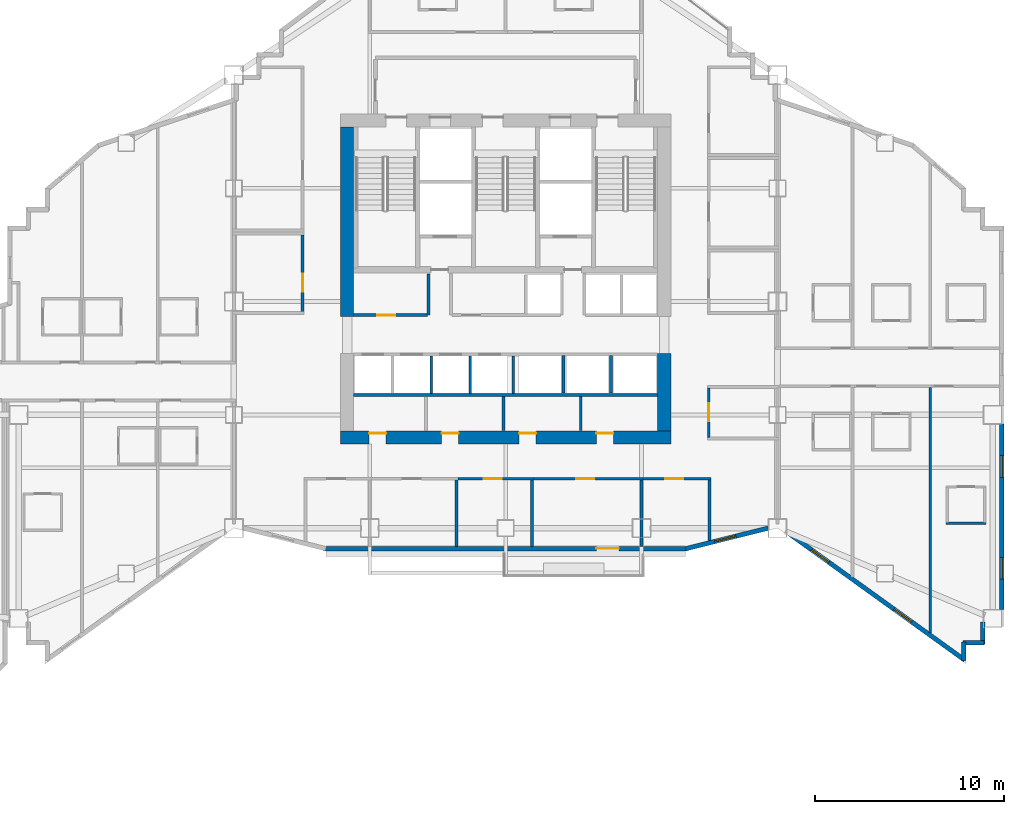
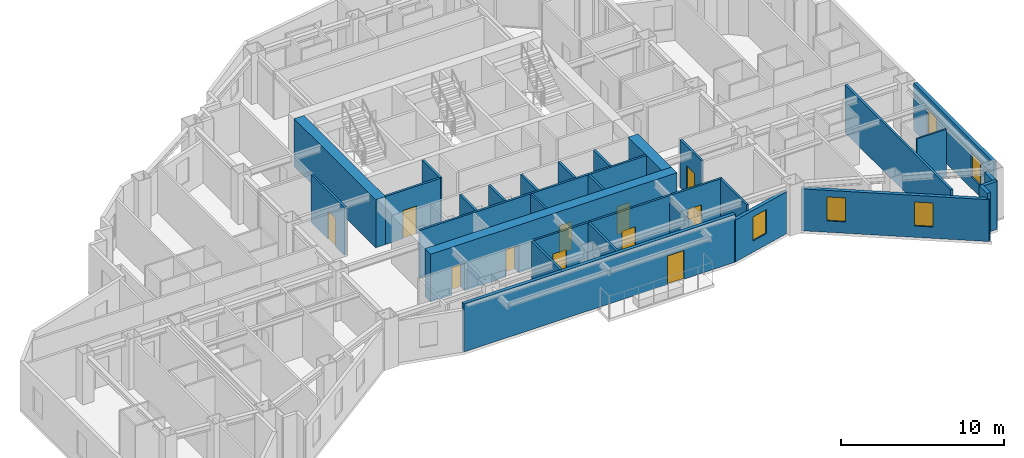
# One storey, part 7 of 13: 31 walls, 11 doors, 5 windows, 16 openings.
"""IFC4 building model written with IfcOpenShell, lengths in metres."""

from ifc_helpers import new_model, si_unit, direction, frame, frame_2d, origin, place, context, subcontext, project, spatial, rectangle, extrude, material, layer, layer_set, type_object, element, fill, save


model = new_model("IFC4")

# Units and contexts
model_context = context("Model", 3, precision=1e-05, world=origin(), true_north=direction((0.0, 1.0)))
body_context = subcontext(model_context, "Body", "Model", "MODEL_VIEW")
ifc_project = project(units=[si_unit("LENGTHUNIT", "METRE"), si_unit("AREAUNIT", "SQUARE_METRE"), si_unit("VOLUMEUNIT", "CUBIC_METRE"), si_unit("PLANEANGLEUNIT", "RADIAN"), si_unit("MASSUNIT", "GRAM", prefix="KILO")], contexts=[model_context])

# Site, building, storey
site_placement = place(None, origin())
site = spatial("IfcSite", under=ifc_project, at=site_placement, CompositionType="ELEMENT")
building_placement = place(site_placement, origin())
building = spatial("IfcBuilding", under=site, at=building_placement, Name="Haolan Belvedere Tower", CompositionType="ELEMENT")
storey_placement = place(building_placement, frame((0.0, 0.0, 117.39990234375)))
storey = spatial("IfcBuildingStorey", under=building, at=storey_placement, Name="L29", CompositionType="ELEMENT", Elevation=117.39990234375)

# Wall, openings, doors
ifc_material_1 = material(Name="Concrete C60/75", Category="concrete")
ifc_layer_1 = layer(ifc_material_1, 0.699951171875, Name="Concrete C60/75")
ifc_layer_set_1 = layer_set([ifc_layer_1], Name="Concrete C60/75")
wall_type_1 = type_object("IfcWallType", Name="WL-CORE-700", PredefinedType="SHEAR", material=ifc_layer_set_1)
wall_1_placement = place(storey_placement, frame((29.64990234375, 26.39990234375, 0.0), z_axis=(0.0, 0.0, 1.0), x_axis=(1.0, 0.0, 0.0)))
wall_1 = element("IfcWall", 1, at=wall_1_placement, inside=storey, type_object=wall_type_1, Name="L29 central core south shear wall", PredefinedType="SHEAR", context=body_context, shape_type="SweptSolid", body=[
    extrude(rectangle(XDim=17.5, YDim=0.699951171875, at=frame_2d((8.75, 0.0))), origin(), (0.0, 0.0, 1.0), 3.60009765625),
])
opening_1_placement = place(wall_1_placement, frame((2.419921875, 0.0, 0.0), z_axis=(0.0, 0.0, 1.0), x_axis=(-1.0, 0.0, 0.0)))
opening_1 = element("IfcOpeningElement", 2, at=opening_1_placement, cuts=wall_1, Name="Opening FD-05", PredefinedType="OPENING", context=body_context, shape_type="SweptSolid", body=[
    extrude(rectangle(XDim=0.89990234375, YDim=2.10009765625, at=frame_2d((0.449951171875, 1.050048828125))), frame((0.0, 0.35986328125, 0.0), z_axis=(0.0, -1.0, 0.0), x_axis=(1.0, 0.0, 0.0)), (0.0, 0.0, 1.0), 0.719970703125),
])
opening_2_placement = place(wall_1_placement, frame((6.260009765625, 0.0, 0.0), z_axis=(0.0, 0.0, 1.0), x_axis=(-1.0, 0.0, 0.0)))
opening_2 = element("IfcOpeningElement", 3, at=opening_2_placement, cuts=wall_1, Name="Opening FD-05", PredefinedType="OPENING", context=body_context, shape_type="SweptSolid", body=[
    extrude(rectangle(XDim=0.89990234375, YDim=2.10009765625, at=frame_2d((0.449951171875, 1.050048828125))), frame((0.0, 0.35986328125, 0.0), z_axis=(0.0, -1.0, 0.0), x_axis=(1.0, 0.0, 0.0)), (0.0, 0.0, 1.0), 0.719970703125),
])
opening_3_placement = place(wall_1_placement, frame((10.35986328125, 0.0, 0.0), z_axis=(0.0, 0.0, 1.0), x_axis=(-1.0, 0.0, 0.0)))
opening_3 = element("IfcOpeningElement", 4, at=opening_3_placement, cuts=wall_1, Name="Opening FD-05", PredefinedType="OPENING", context=body_context, shape_type="SweptSolid", body=[
    extrude(rectangle(XDim=0.89990234375, YDim=2.10009765625, at=frame_2d((0.449951171875, 1.050048828125))), frame((0.0, 0.35986328125, 0.0), z_axis=(0.0, -1.0, 0.0), x_axis=(1.0, 0.0, 0.0)), (0.0, 0.0, 1.0), 0.719970703125),
])
opening_4_placement = place(wall_1_placement, frame((14.4599609375, 0.0, 0.0), z_axis=(0.0, 0.0, 1.0), x_axis=(-1.0, 0.0, 0.0)))
opening_4 = element("IfcOpeningElement", 5, at=opening_4_placement, cuts=wall_1, Name="Opening FD-05", PredefinedType="OPENING", context=body_context, shape_type="SweptSolid", body=[
    extrude(rectangle(XDim=0.89990234375, YDim=2.10009765625, at=frame_2d((0.449951171875, 1.050048828125))), frame((0.0, 0.35986328125, 0.0), z_axis=(0.0, -1.0, 0.0), x_axis=(1.0, 0.0, 0.0)), (0.0, 0.0, 1.0), 0.719970703125),
])
ifc_material_2 = material(Name="Galvanised fire-rated steel", Category="steel")
door_type_1 = type_object("IfcDoorType", Name="DR-FD60-900", OperationType="NOTDEFINED", PredefinedType="DOOR", material=ifc_material_2)
door_1_placement = place(opening_1_placement, origin())
door_1 = element("IfcDoor", 6, at=door_1_placement, inside=storey, type_object=door_type_1, Name="L29 door CD-L29-SCV-1", OperationType="SINGLE_SWING_LEFT", OverallHeight=2.10009765625, OverallWidth=0.89990234375, PredefinedType="DOOR", context=body_context, shape_type="SweptSolid", body=[
    extrude(rectangle(XDim=0.89990234375, YDim=2.10009765625, at=frame_2d((0.449951171875, 1.050048828125))), frame((0.0, -0.19482421875, 0.0), z_axis=(0.0, -1.0, 0.0), x_axis=(1.0, 0.0, 0.0)), (0.0, 0.0, 1.0), 0.050048828125),
])
fill(opening_1, door_1)
door_2_placement = place(opening_2_placement, origin())
door_2 = element("IfcDoor", 7, at=door_2_placement, inside=storey, type_object=door_type_1, Name="L29 door CD-L29-SCV-2", OperationType="SINGLE_SWING_RIGHT", OverallHeight=2.10009765625, OverallWidth=0.89990234375, PredefinedType="DOOR", context=body_context, shape_type="SweptSolid", body=[
    extrude(rectangle(XDim=0.89990234375, YDim=2.10009765625, at=frame_2d((0.449951171875, 1.050048828125))), frame((0.0, -0.19482421875, 0.0), z_axis=(0.0, -1.0, 0.0), x_axis=(1.0, 0.0, 0.0)), (0.0, 0.0, 1.0), 0.050048828125),
])
fill(opening_2, door_2)
door_3_placement = place(opening_3_placement, origin())
door_3 = element("IfcDoor", 8, at=door_3_placement, inside=storey, type_object=door_type_1, Name="L29 door CD-L29-SCV-3", OperationType="SINGLE_SWING_LEFT", OverallHeight=2.10009765625, OverallWidth=0.89990234375, PredefinedType="DOOR", context=body_context, shape_type="SweptSolid", body=[
    extrude(rectangle(XDim=0.89990234375, YDim=2.10009765625, at=frame_2d((0.449951171875, 1.050048828125))), frame((0.0, -0.19482421875, 0.0), z_axis=(0.0, -1.0, 0.0), x_axis=(1.0, 0.0, 0.0)), (0.0, 0.0, 1.0), 0.050048828125),
])
fill(opening_3, door_3)
door_4_placement = place(opening_4_placement, origin())
door_4 = element("IfcDoor", 9, at=door_4_placement, inside=storey, type_object=door_type_1, Name="L29 door CD-L29-SCV-4", OperationType="SINGLE_SWING_RIGHT", OverallHeight=2.10009765625, OverallWidth=0.89990234375, PredefinedType="DOOR", context=body_context, shape_type="SweptSolid", body=[
    extrude(rectangle(XDim=0.89990234375, YDim=2.10009765625, at=frame_2d((0.449951171875, 1.050048828125))), frame((0.0, -0.19482421875, 0.0), z_axis=(0.0, -1.0, 0.0), x_axis=(1.0, 0.0, 0.0)), (0.0, 0.0, 1.0), 0.050048828125),
])
fill(opening_4, door_4)

# Walls
wall_2_placement = place(storey_placement, frame((30.0, 32.800048828125, 0.0), z_axis=(0.0, 0.0, 1.0), x_axis=(0.0, 1.0, 0.0)))
element("IfcWall", 10, at=wall_2_placement, inside=storey, type_object=wall_type_1, Name="L29 central core shear wall WN", PredefinedType="SHEAR", context=body_context, shape_type="SweptSolid", body=[
    extrude(rectangle(XDim=10.050048828125, YDim=0.699951171875, at=frame_2d((5.02490234375, 0.0))), origin(), (0.0, 0.0, 1.0), 3.60009765625),
])
wall_3_placement = place(storey_placement, frame((46.800048828125, 26.75, 0.0), z_axis=(0.0, 0.0, 1.0), x_axis=(0.0, 1.0, 0.0)))
element("IfcWall", 11, at=wall_3_placement, inside=storey, type_object=wall_type_1, Name="L29 central core shear wall ES", PredefinedType="SHEAR", context=body_context, shape_type="SweptSolid", body=[
    extrude(rectangle(XDim=4.10009765625, YDim=0.699951171875, at=frame_2d((2.050048828125, 0.0))), origin(), (0.0, 0.0, 1.0), 3.60009765625),
])

# Wall, opening, door
ifc_material_3 = material(Name="Precast concrete C40/50", Category="concrete")
ifc_layer_2 = layer(ifc_material_3, 0.239990234375, Name="Precast concrete C40/50")
ifc_layer_set_2 = layer_set([ifc_layer_2], Name="Precast concrete C40/50")
wall_type_2 = type_object("IfcWallType", Name="WL-EXT-240", PredefinedType="SOLIDWALL", material=ifc_layer_set_2)
wall_4_placement = place(storey_placement, frame((28.759765625, 20.52001953125, 0.0), z_axis=(0.0, 0.0, 1.0), x_axis=(1.0, 0.0, 0.0)))
wall_4 = element("IfcWall", 12, at=wall_4_placement, inside=storey, type_object=wall_type_2, Name="L29 pale-metal exterior spandrel wall 7.1", PredefinedType="SOLIDWALL", context=body_context, shape_type="SweptSolid", body=[
    extrude(rectangle(XDim=19.280517578125, YDim=0.239990234375, at=frame_2d((9.64013671875, 0.0))), origin(), (0.0, 0.0, 1.0), 3.60009765625),
])
opening_5_placement = place(wall_4_placement, frame((15.64013671875, 0.0, 0.0), z_axis=(0.0, 0.0, 1.0), x_axis=(-1.0, 0.0, 0.0)))
opening_5 = element("IfcOpeningElement", 13, at=opening_5_placement, cuts=wall_4, Name="Opening BD-01", PredefinedType="OPENING", context=body_context, shape_type="SweptSolid", body=[
    extrude(rectangle(XDim=1.199951171875, YDim=2.14990234375, at=frame_2d((0.60009765625, 1.074951171875))), frame((0.0, 0.1298828125, 0.0), z_axis=(0.0, -1.0, 0.0), x_axis=(1.0, 0.0, 0.0)), (0.0, 0.0, 1.0), 0.260009765625),
])
ifc_material_4 = material(Name="Thermally broken pale-metal aluminium and Low-E glass", Category="aluminium")
door_type_2 = type_object("IfcDoorType", Name="DR-BAL-1200", OperationType="NOTDEFINED", PredefinedType="DOOR", material=ifc_material_4)
door_5_placement = place(opening_5_placement, origin())
door_5 = element("IfcDoor", 14, at=door_5_placement, inside=storey, type_object=door_type_2, Name="L29 tree-balcony access door 1", OperationType="SINGLE_SWING_LEFT", OverallHeight=2.14990234375, OverallWidth=1.199951171875, PredefinedType="DOOR", context=body_context, shape_type="SweptSolid", body=[
    extrude(rectangle(XDim=1.199951171875, YDim=2.14990234375, at=frame_2d((0.60009765625, 1.074951171875))), frame((0.0, 0.02490234375, 0.0), z_axis=(0.0, -1.0, 0.0), x_axis=(1.0, 0.0, 0.0)), (0.0, 0.0, 1.0), 0.050048828125),
])
fill(opening_5, door_5)

# Wall, opening, window
wall_5_placement = place(storey_placement, frame((47.931884765625, 20.506591796875, 0.0), z_axis=(0.0, 0.0, 1.0), x_axis=(0.970145683738, 0.242522890311, 0.0)))
wall_5 = element("IfcWall", 15, at=wall_5_placement, inside=storey, type_object=wall_type_2, Name="L29 pale-metal exterior spandrel wall 8.1", PredefinedType="SOLIDWALL", context=body_context, shape_type="SweptSolid", body=[
    extrude(rectangle(XDim=4.510986328125, YDim=0.239990234375, at=frame_2d((2.25537109375, 0.0))), origin(), (0.0, 0.0, 1.0), 3.14501953125),
])
opening_6_placement = place(wall_5_placement, frame((1.60009765625, 0.0, 0.85009765625)))
opening_6 = element("IfcOpeningElement", 16, at=opening_6_placement, cuts=wall_5, Name="Opening W-02", PredefinedType="OPENING", context=body_context, shape_type="SweptSolid", body=[
    extrude(rectangle(XDim=1.14990234375, YDim=1.800048828125, at=frame_2d((0.574951171875, 0.89990234375))), frame((0.0, 0.1298828125, 0.0), z_axis=(0.0, -1.0, 0.0), x_axis=(1.0, 0.0, 0.0)), (0.0, 0.0, 1.0), 0.260009765625),
])
ifc_material_5 = material(Name="Anodised aluminium 6063-T6 and Low-E glass", Category="aluminium")
window_type = type_object("IfcWindowType", Name="WN-DECO-Z2", PartitioningType="SINGLE_PANEL", PredefinedType="WINDOW", material=ifc_material_5)
window_1_placement = place(opening_6_placement, origin())
window_1 = element("IfcWindow", 17, at=window_1_placement, inside=storey, type_object=window_type, Name="L29 Art Deco chevron window 1", OverallHeight=1.800048828125, OverallWidth=1.14990234375, PartitioningType="SINGLE_PANEL", PredefinedType="WINDOW", context=body_context, shape_type="SweptSolid", body=[
    extrude(rectangle(XDim=1.14990234375, YDim=1.800048828125, at=frame_2d((0.574951171875, 0.89990234375))), frame((0.0, 0.030029296875, 0.0), z_axis=(0.0, -1.0, 0.0), x_axis=(1.0, 0.0, 0.0)), (0.0, 0.0, 1.0), 0.06005859375),
])
fill(opening_6, window_1)

# Wall, openings, windows
wall_6_placement = place(storey_placement, frame((53.2919921875, 21.3935546875, 0.0), z_axis=(0.0, 0.0, 1.0), x_axis=(0.811543504691, -0.584291998913, 0.0)))
wall_6 = element("IfcWall", 18, at=wall_6_placement, inside=storey, type_object=wall_type_2, Name="L29 pale-metal exterior spandrel wall 9.1", PredefinedType="SOLIDWALL", context=body_context, shape_type="SweptSolid", body=[
    extrude(rectangle(XDim=11.623046875, YDim=0.239990234375, at=frame_2d((5.8115234375, 0.0))), origin(), (0.0, 0.0, 1.0), 3.14501953125),
])
opening_7_placement = place(wall_6_placement, frame((1.60009765625, 0.0, 0.85009765625)))
opening_7 = element("IfcOpeningElement", 19, at=opening_7_placement, cuts=wall_6, Name="Opening W-02", PredefinedType="OPENING", context=body_context, shape_type="SweptSolid", body=[
    extrude(rectangle(XDim=1.14990234375, YDim=1.800048828125, at=frame_2d((0.574951171875, 0.89990234375))), frame((0.0, 0.1298828125, 0.0), z_axis=(0.0, -1.0, 0.0), x_axis=(1.0, 0.0, 0.0)), (0.0, 0.0, 1.0), 0.260009765625),
])
opening_8_placement = place(wall_6_placement, frame((7.0, 0.0, 0.85009765625)))
opening_8 = element("IfcOpeningElement", 20, at=opening_8_placement, cuts=wall_6, Name="Opening W-02", PredefinedType="OPENING", context=body_context, shape_type="SweptSolid", body=[
    extrude(rectangle(XDim=1.14990234375, YDim=1.800048828125, at=frame_2d((0.574951171875, 0.89990234375))), frame((0.0, 0.1298828125, 0.0), z_axis=(0.0, -1.0, 0.0), x_axis=(1.0, 0.0, 0.0)), (0.0, 0.0, 1.0), 0.260009765625),
])
window_2_placement = place(opening_7_placement, origin())
window_2 = element("IfcWindow", 21, at=window_2_placement, inside=storey, type_object=window_type, Name="L29 Art Deco chevron window 1", OverallHeight=1.800048828125, OverallWidth=1.14990234375, PartitioningType="SINGLE_PANEL", PredefinedType="WINDOW", context=body_context, shape_type="SweptSolid", body=[
    extrude(rectangle(XDim=1.14990234375, YDim=1.800048828125, at=frame_2d((0.574951171875, 0.89990234375))), frame((0.0, 0.030029296875, 0.0), z_axis=(0.0, -1.0, 0.0), x_axis=(1.0, 0.0, 0.0)), (0.0, 0.0, 1.0), 0.06005859375),
])
fill(opening_7, window_2)
window_3_placement = place(opening_8_placement, origin())
window_3 = element("IfcWindow", 22, at=window_3_placement, inside=storey, type_object=window_type, Name="L29 Art Deco chevron window 2", OverallHeight=1.800048828125, OverallWidth=1.14990234375, PartitioningType="SINGLE_PANEL", PredefinedType="WINDOW", context=body_context, shape_type="SweptSolid", body=[
    extrude(rectangle(XDim=1.14990234375, YDim=1.800048828125, at=frame_2d((0.574951171875, 0.89990234375))), frame((0.0, 0.030029296875, 0.0), z_axis=(0.0, -1.0, 0.0), x_axis=(1.0, 0.0, 0.0)), (0.0, 0.0, 1.0), 0.06005859375),
])
fill(opening_8, window_3)

# Walls
wall_7_placement = place(storey_placement, frame((62.679931640625, 14.579345703125, 0.0), z_axis=(0.0, 0.0, 1.0), x_axis=(0.0, 1.0, 0.0)))
element("IfcWall", 23, at=wall_7_placement, inside=storey, type_object=wall_type_2, Name="L29 pale-metal exterior spandrel wall 10.1", PredefinedType="SOLIDWALL", context=body_context, shape_type="SweptSolid", body=[
    extrude(rectangle(XDim=0.99560546875, YDim=0.239990234375, at=frame_2d((0.497802734375, 0.0))), origin(), (0.0, 0.0, 1.0), 3.60009765625),
])
wall_8_placement = place(storey_placement, frame((62.625, 15.52001953125, 0.0), z_axis=(0.0, 0.0, 1.0), x_axis=(1.0, 0.0, 0.0)))
element("IfcWall", 24, at=wall_8_placement, inside=storey, type_object=wall_type_2, Name="L29 pale-metal exterior spandrel wall 11.1", PredefinedType="SOLIDWALL", context=body_context, shape_type="SweptSolid", body=[
    extrude(rectangle(XDim=1.110107421875, YDim=0.239990234375, at=frame_2d((0.55517578125, 0.0))), origin(), (0.0, 0.0, 1.0), 3.60009765625),
])
wall_9_placement = place(storey_placement, frame((63.679931640625, 15.465087890625, 0.0), z_axis=(0.0, 0.0, 1.0), x_axis=(0.0, 1.0, 0.0)))
element("IfcWall", 25, at=wall_9_placement, inside=storey, type_object=wall_type_2, Name="L29 pale-metal exterior spandrel wall 12.1", PredefinedType="SOLIDWALL", context=body_context, shape_type="SweptSolid", body=[
    extrude(rectangle(XDim=1.1748046875, YDim=0.239990234375, at=frame_2d((0.58740234375, 0.0))), origin(), (0.0, 0.0, 1.0), 3.60009765625),
])

# Wall, openings, windows
wall_10_placement = place(storey_placement, frame((64.679931640625, 17.2919921875, 0.0), z_axis=(0.0, 0.0, 1.0), x_axis=(0.0, 1.0, 0.0)))
wall_10 = element("IfcWall", 26, at=wall_10_placement, inside=storey, type_object=wall_type_2, Name="L29 pale-metal exterior spandrel wall 14.1", PredefinedType="SOLIDWALL", context=body_context, shape_type="SweptSolid", body=[
    extrude(rectangle(XDim=9.81591796875, YDim=0.239990234375, at=frame_2d((4.907958984375, 0.0))), origin(), (0.0, 0.0, 1.0), 3.60009765625),
])
opening_9_placement = place(wall_10_placement, frame((1.60009765625, 0.0, 0.85009765625)))
opening_9 = element("IfcOpeningElement", 27, at=opening_9_placement, cuts=wall_10, Name="Opening W-02", PredefinedType="OPENING", context=body_context, shape_type="SweptSolid", body=[
    extrude(rectangle(XDim=1.14990234375, YDim=1.800048828125, at=frame_2d((0.574951171875, 0.89990234375))), frame((0.0, 0.1298828125, 0.0), z_axis=(0.0, -1.0, 0.0), x_axis=(1.0, 0.0, 0.0)), (0.0, 0.0, 1.0), 0.260009765625),
])
opening_10_placement = place(wall_10_placement, frame((7.0, 0.0, 0.85009765625)))
opening_10 = element("IfcOpeningElement", 28, at=opening_10_placement, cuts=wall_10, Name="Opening W-02", PredefinedType="OPENING", context=body_context, shape_type="SweptSolid", body=[
    extrude(rectangle(XDim=1.14990234375, YDim=1.800048828125, at=frame_2d((0.574951171875, 0.89990234375))), frame((0.0, 0.1298828125, 0.0), z_axis=(0.0, -1.0, 0.0), x_axis=(1.0, 0.0, 0.0)), (0.0, 0.0, 1.0), 0.260009765625),
])
window_4_placement = place(opening_9_placement, origin())
window_4 = element("IfcWindow", 29, at=window_4_placement, inside=storey, type_object=window_type, Name="L29 Art Deco chevron window 1", OverallHeight=1.800048828125, OverallWidth=1.14990234375, PartitioningType="SINGLE_PANEL", PredefinedType="WINDOW", context=body_context, shape_type="SweptSolid", body=[
    extrude(rectangle(XDim=1.14990234375, YDim=1.800048828125, at=frame_2d((0.574951171875, 0.89990234375))), frame((0.0, 0.030029296875, 0.0), z_axis=(0.0, -1.0, 0.0), x_axis=(1.0, 0.0, 0.0)), (0.0, 0.0, 1.0), 0.06005859375),
])
fill(opening_9, window_4)
window_5_placement = place(opening_10_placement, origin())
window_5 = element("IfcWindow", 30, at=window_5_placement, inside=storey, type_object=window_type, Name="L29 Art Deco chevron window 2", OverallHeight=1.800048828125, OverallWidth=1.14990234375, PartitioningType="SINGLE_PANEL", PredefinedType="WINDOW", context=body_context, shape_type="SweptSolid", body=[
    extrude(rectangle(XDim=1.14990234375, YDim=1.800048828125, at=frame_2d((0.574951171875, 0.89990234375))), frame((0.0, 0.030029296875, 0.0), z_axis=(0.0, -1.0, 0.0), x_axis=(1.0, 0.0, 0.0)), (0.0, 0.0, 1.0), 0.06005859375),
])
fill(opening_10, window_5)

# Walls
ifc_material_6 = material(Name="Double gypsum acoustic stud partition", Category="masonry")
ifc_layer_3 = layer(ifc_material_6, 0.14990234375, Name="Double gypsum acoustic stud partition")
ifc_layer_set_3 = layer_set([ifc_layer_3], Name="Double gypsum acoustic stud partition")
wall_type_3 = type_object("IfcWallType", Name="WL-PART-150", PredefinedType="PARTITIONING", material=ifc_layer_set_3)
wall_11_placement = place(storey_placement, frame((30.35009765625, 28.659912109375, 0.0), z_axis=(0.0, 0.0, 1.0), x_axis=(1.0, 0.0, 0.0)))
element("IfcWall", 31, at=wall_11_placement, inside=storey, type_object=wall_type_3, Name="L29 interior partition IW-L29-SSTRIP-N", PredefinedType="PARTITIONING", context=body_context, shape_type="SweptSolid", body=[
    extrude(rectangle(XDim=16.099853515625, YDim=0.14990234375, at=frame_2d((8.0498046875, 0.0))), origin(), (0.0, 0.0, 1.0), 3.60009765625),
])
for number, where, z_axis, x_axis, name in (
    (32, (38.280029296875, 26.760009765625, 0.0), (0.0, 0.0, 1.0), (0.0, 1.0, 0.0), "L29 interior partition IW-L29-SCV-DIV-2"),
    (33, (42.3798828125, 26.760009765625, 0.0), (0.0, 0.0, 1.0), (0.0, 1.0, 0.0), "L29 interior partition IW-L29-SCV-DIV-3"),
):
    element("IfcWall", number, at=place(storey_placement, frame(where, z_axis=z_axis, x_axis=x_axis)), inside=storey, type_object=wall_type_3, Name=name, PredefinedType="PARTITIONING", context=body_context, shape_type="SweptSolid", body=[
        extrude(rectangle(XDim=1.820068359375, YDim=0.14990234375, at=frame_2d((0.91015625, 0.0))), origin(), (0.0, 0.0, 1.0), 3.60009765625),
    ])

# Wall, opening, door
wall_12_placement = place(storey_placement, frame((27.639892578125, 33.06005859375, 0.0), z_axis=(0.0, 0.0, 1.0), x_axis=(0.0, 1.0, 0.0)))
wall_12 = element("IfcWall", 34, at=wall_12_placement, inside=storey, type_object=wall_type_3, Name="L29 interior partition IW-L29-HSK-E", PredefinedType="PARTITIONING", context=body_context, shape_type="SweptSolid", body=[
    extrude(rectangle(XDim=4.079833984375, YDim=0.14990234375, at=frame_2d((2.0400390625, 0.0))), origin(), (0.0, 0.0, 1.0), 3.60009765625),
])
opening_11_placement = place(wall_12_placement, frame((2.010009765625, 0.0, 0.0), z_axis=(0.0, 0.0, 1.0), x_axis=(-1.0, 0.0, 0.0)))
opening_11 = element("IfcOpeningElement", 35, at=opening_11_placement, cuts=wall_12, Name="Opening ID-03", PredefinedType="OPENING", context=body_context, shape_type="SweptSolid", body=[
    extrude(rectangle(XDim=0.949951171875, YDim=2.1201171875, at=frame_2d((0.47509765625, 1.06005859375))), frame((0.0, 0.0849609375, 0.0), z_axis=(0.0, -1.0, 0.0), x_axis=(1.0, 0.0, 0.0)), (0.0, 0.0, 1.0), 0.169921875),
])
ifc_material_7 = material(Name="Painted solid-core timber", Category="wood")
door_type_3 = type_object("IfcDoorType", Name="DR-INT-950", OperationType="NOTDEFINED", PredefinedType="DOOR", material=ifc_material_7)
door_6_placement = place(opening_11_placement, origin())
door_6 = element("IfcDoor", 36, at=door_6_placement, inside=storey, type_object=door_type_3, Name="L29 door ID-L29-HSK", OperationType="SINGLE_SWING_LEFT", OverallHeight=2.1201171875, OverallWidth=0.949951171875, PredefinedType="DOOR", context=body_context, shape_type="SweptSolid", body=[
    extrude(rectangle(XDim=0.949951171875, YDim=2.1201171875, at=frame_2d((0.47509765625, 1.06005859375))), frame((0.0, 0.02490234375, 0.0), z_axis=(0.0, -1.0, 0.0), x_axis=(1.0, 0.0, 0.0)), (0.0, 0.0, 1.0), 0.050048828125),
])
fill(opening_11, door_6)

wall_13_placement = place(storey_placement, frame((49.159912109375, 26.409912109375, 0.0), z_axis=(0.0, 0.0, 1.0), x_axis=(0.0, 1.0, 0.0)))
wall_13 = element("IfcWall", 37, at=wall_13_placement, inside=storey, type_object=wall_type_3, Name="L29 interior partition IW-L29-PKTE-W", PredefinedType="PARTITIONING", context=body_context, shape_type="SweptSolid", body=[
    extrude(rectangle(XDim=2.610107421875, YDim=0.14990234375, at=frame_2d((1.30517578125, 0.0))), origin(), (0.0, 0.0, 1.0), 3.60009765625),
])
opening_12_placement = place(wall_13_placement, frame((0.860107421875, 0.0, 0.0)))
opening_12 = element("IfcOpeningElement", 38, at=opening_12_placement, cuts=wall_13, Name="Opening ID-03", PredefinedType="OPENING", context=body_context, shape_type="SweptSolid", body=[
    extrude(rectangle(XDim=0.949951171875, YDim=2.1201171875, at=frame_2d((0.47509765625, 1.06005859375))), frame((0.0, 0.0849609375, 0.0), z_axis=(0.0, -1.0, 0.0), x_axis=(1.0, 0.0, 0.0)), (0.0, 0.0, 1.0), 0.169921875),
])
door_7_placement = place(opening_12_placement, origin())
door_7 = element("IfcDoor", 39, at=door_7_placement, inside=storey, type_object=door_type_3, Name="L29 door ID-L29-PKTE", OperationType="SINGLE_SWING_RIGHT", OverallHeight=2.1201171875, OverallWidth=0.949951171875, PredefinedType="DOOR", context=body_context, shape_type="SweptSolid", body=[
    extrude(rectangle(XDim=0.949951171875, YDim=2.1201171875, at=frame_2d((0.47509765625, 1.06005859375))), frame((0.0, 0.02490234375, 0.0), z_axis=(0.0, -1.0, 0.0), x_axis=(1.0, 0.0, 0.0)), (0.0, 0.0, 1.0), 0.050048828125),
])
fill(opening_12, door_7)

# Wall
wall_14_placement = place(storey_placement, frame((35.800048828125, 20.625, 0.0), z_axis=(0.0, 0.0, 1.0), x_axis=(0.0, 1.0, 0.0)))
element("IfcWall", 40, at=wall_14_placement, inside=storey, type_object=wall_type_3, Name="L29 interior partition IW-L29-KS3-E", PredefinedType="PARTITIONING", context=body_context, shape_type="SweptSolid", body=[
    extrude(rectangle(XDim=3.534912109375, YDim=0.14990234375, at=frame_2d((1.767578125, 0.0))), origin(), (0.0, 0.0, 1.0), 3.60009765625),
])

# Wall, opening, door
wall_15_placement = place(storey_placement, frame((35.882080078125, 24.219970703125, 0.0), z_axis=(0.0, 0.0, 1.0), x_axis=(1.0, 0.0, 0.0)))
wall_15 = element("IfcWall", 41, at=wall_15_placement, inside=storey, type_object=wall_type_3, Name="L29 interior partition IW-L29-KS4-N", PredefinedType="PARTITIONING", context=body_context, shape_type="SweptSolid", body=[
    extrude(rectangle(XDim=3.997802734375, YDim=0.14990234375, at=frame_2d((1.9990234375, 0.0))), origin(), (0.0, 0.0, 1.0), 3.60009765625),
])
opening_13_placement = place(wall_15_placement, frame((2.31298828125, 0.0, 0.0), z_axis=(0.0, 0.0, 1.0), x_axis=(-1.0, 0.0, 0.0)))
opening_13 = element("IfcOpeningElement", 42, at=opening_13_placement, cuts=wall_15, Name="Opening ID-03", PredefinedType="OPENING", context=body_context, shape_type="SweptSolid", body=[
    extrude(rectangle(XDim=0.949951171875, YDim=2.1201171875, at=frame_2d((0.47509765625, 1.06005859375))), frame((0.0, 0.0849609375, 0.0), z_axis=(0.0, -1.0, 0.0), x_axis=(1.0, 0.0, 0.0)), (0.0, 0.0, 1.0), 0.169921875),
])
door_8_placement = place(opening_13_placement, origin())
door_8 = element("IfcDoor", 43, at=door_8_placement, inside=storey, type_object=door_type_3, Name="L29 door ID-L29-KS4", OperationType="SINGLE_SWING_RIGHT", OverallHeight=2.1201171875, OverallWidth=0.949951171875, PredefinedType="DOOR", context=body_context, shape_type="SweptSolid", body=[
    extrude(rectangle(XDim=0.949951171875, YDim=2.1201171875, at=frame_2d((0.47509765625, 1.06005859375))), frame((0.0, 0.02490234375, 0.0), z_axis=(0.0, -1.0, 0.0), x_axis=(1.0, 0.0, 0.0)), (0.0, 0.0, 1.0), 0.050048828125),
])
fill(opening_13, door_8)

# Wall
wall_16_placement = place(storey_placement, frame((39.800048828125, 20.625, 0.0), z_axis=(0.0, 0.0, 1.0), x_axis=(0.0, 1.0, 0.0)))
element("IfcWall", 44, at=wall_16_placement, inside=storey, type_object=wall_type_3, Name="L29 interior partition IW-L29-KS4-E", PredefinedType="PARTITIONING", context=body_context, shape_type="SweptSolid", body=[
    extrude(rectangle(XDim=3.534912109375, YDim=0.14990234375, at=frame_2d((1.767578125, 0.0))), origin(), (0.0, 0.0, 1.0), 3.60009765625),
])

# Wall, opening, door
wall_17_placement = place(storey_placement, frame((39.882080078125, 24.219970703125, 0.0), z_axis=(0.0, 0.0, 1.0), x_axis=(1.0, 0.0, 0.0)))
wall_17 = element("IfcWall", 45, at=wall_17_placement, inside=storey, type_object=wall_type_3, Name="L29 interior partition IW-L29-KS5-N", PredefinedType="PARTITIONING", context=body_context, shape_type="SweptSolid", body=[
    extrude(rectangle(XDim=5.7978515625, YDim=0.14990234375, at=frame_2d((2.89892578125, 0.0))), origin(), (0.0, 0.0, 1.0), 3.60009765625),
])
opening_14_placement = place(wall_17_placement, frame((3.212890625, 0.0, 0.0), z_axis=(0.0, 0.0, 1.0), x_axis=(-1.0, 0.0, 0.0)))
opening_14 = element("IfcOpeningElement", 46, at=opening_14_placement, cuts=wall_17, Name="Opening ID-03", PredefinedType="OPENING", context=body_context, shape_type="SweptSolid", body=[
    extrude(rectangle(XDim=0.949951171875, YDim=2.1201171875, at=frame_2d((0.47509765625, 1.06005859375))), frame((0.0, 0.0849609375, 0.0), z_axis=(0.0, -1.0, 0.0), x_axis=(1.0, 0.0, 0.0)), (0.0, 0.0, 1.0), 0.169921875),
])
door_9_placement = place(opening_14_placement, origin())
door_9 = element("IfcDoor", 47, at=door_9_placement, inside=storey, type_object=door_type_3, Name="L29 door ID-L29-KS5", OperationType="SINGLE_SWING_LEFT", OverallHeight=2.1201171875, OverallWidth=0.949951171875, PredefinedType="DOOR", context=body_context, shape_type="SweptSolid", body=[
    extrude(rectangle(XDim=0.949951171875, YDim=2.1201171875, at=frame_2d((0.47509765625, 1.06005859375))), frame((0.0, 0.02490234375, 0.0), z_axis=(0.0, -1.0, 0.0), x_axis=(1.0, 0.0, 0.0)), (0.0, 0.0, 1.0), 0.050048828125),
])
fill(opening_14, door_9)

# Wall
wall_18_placement = place(storey_placement, frame((45.60009765625, 20.625, 0.0), z_axis=(0.0, 0.0, 1.0), x_axis=(0.0, 1.0, 0.0)))
element("IfcWall", 48, at=wall_18_placement, inside=storey, type_object=wall_type_3, Name="L29 interior partition IW-L29-KS5-E", PredefinedType="PARTITIONING", context=body_context, shape_type="SweptSolid", body=[
    extrude(rectangle(XDim=3.534912109375, YDim=0.14990234375, at=frame_2d((1.767578125, 0.0))), origin(), (0.0, 0.0, 1.0), 3.085205078125),
])

# Wall, opening, door
wall_19_placement = place(storey_placement, frame((45.681884765625, 24.219970703125, 0.0), z_axis=(0.0, 0.0, 1.0), x_axis=(1.0, 0.0, 0.0)))
wall_19 = element("IfcWall", 49, at=wall_19_placement, inside=storey, type_object=wall_type_3, Name="L29 interior partition IW-L29-KS6-N", PredefinedType="PARTITIONING", context=body_context, shape_type="SweptSolid", body=[
    extrude(rectangle(XDim=3.59814453125, YDim=0.14990234375, at=frame_2d((1.799072265625, 0.0))), origin(), (0.0, 0.0, 1.0), 3.60009765625),
])
opening_15_placement = place(wall_19_placement, frame((2.113037109375, 0.0, 0.0), z_axis=(0.0, 0.0, 1.0), x_axis=(-1.0, 0.0, 0.0)))
opening_15 = element("IfcOpeningElement", 50, at=opening_15_placement, cuts=wall_19, Name="Opening ID-03", PredefinedType="OPENING", context=body_context, shape_type="SweptSolid", body=[
    extrude(rectangle(XDim=0.949951171875, YDim=2.1201171875, at=frame_2d((0.47509765625, 1.06005859375))), frame((0.0, 0.0849609375, 0.0), z_axis=(0.0, -1.0, 0.0), x_axis=(1.0, 0.0, 0.0)), (0.0, 0.0, 1.0), 0.169921875),
])
door_10_placement = place(opening_15_placement, origin())
door_10 = element("IfcDoor", 51, at=door_10_placement, inside=storey, type_object=door_type_3, Name="L29 door ID-L29-KS6", OperationType="SINGLE_SWING_RIGHT", OverallHeight=2.1201171875, OverallWidth=0.949951171875, PredefinedType="DOOR", context=body_context, shape_type="SweptSolid", body=[
    extrude(rectangle(XDim=0.949951171875, YDim=2.1201171875, at=frame_2d((0.47509765625, 1.06005859375))), frame((0.0, 0.02490234375, 0.0), z_axis=(0.0, -1.0, 0.0), x_axis=(1.0, 0.0, 0.0)), (0.0, 0.0, 1.0), 0.050048828125),
])
fill(opening_15, door_10)

# Walls
wall_20_placement = place(storey_placement, frame((49.199951171875, 20.931884765625, 0.0), z_axis=(0.0, 0.0, 1.0), x_axis=(0.0, 1.0, 0.0)))
element("IfcWall", 52, at=wall_20_placement, inside=storey, type_object=wall_type_3, Name="L29 interior partition IW-L29-KS6-E", PredefinedType="PARTITIONING", context=body_context, shape_type="SweptSolid", body=[
    extrude(rectangle(XDim=3.22802734375, YDim=0.14990234375, at=frame_2d((1.614013671875, 0.0))), origin(), (0.0, 0.0, 1.0), 3.60009765625),
])
wall_21_placement = place(storey_placement, frame((60.889892578125, 16.052490234375, 0.0), z_axis=(0.0, 0.0, 1.0), x_axis=(0.0, 1.0, 0.0)))
element("IfcWall", 53, at=wall_21_placement, inside=storey, type_object=wall_type_3, Name="L29 interior partition IW-L29-T4S2-E", PredefinedType="PARTITIONING", context=body_context, shape_type="SweptSolid", body=[
    extrude(rectangle(XDim=13.007568359375, YDim=0.14990234375, at=frame_2d((6.50390625, 0.0))), origin(), (0.0, 0.0, 1.0), 3.60009765625),
])
ifc_material_8 = material(Name="Gypsum fire shaftwall assembly", Category="masonry")
ifc_layer_4 = layer(ifc_material_8, 0.1650390625, Name="Gypsum fire shaftwall assembly")
ifc_layer_set_4 = layer_set([ifc_layer_4], Name="Gypsum fire shaftwall assembly")
wall_type_4 = type_object("IfcWallType", Name="WL-SHAFT-160", PredefinedType="SOLIDWALL", material=ifc_layer_set_4)
wall_22_placement = place(storey_placement, frame((34.31005859375, 32.8798828125, 0.0), z_axis=(0.0, 0.0, 1.0), x_axis=(0.0, 1.0, 0.0)))
element("IfcWall", 54, at=wall_22_placement, inside=storey, type_object=wall_type_4, Name="L29 interior partition IW-L29-SVP-W-SV1", PredefinedType="SOLIDWALL", context=body_context, shape_type="SweptSolid", body=[
    extrude(rectangle(XDim=2.170166015625, YDim=0.14990234375, at=frame_2d((1.0849609375, 0.0))), origin(), (0.0, 0.0, 1.0), 3.60009765625),
])

# Wall, opening, door
wall_23_placement = place(storey_placement, frame((30.35009765625, 32.8798828125, 0.0), z_axis=(0.0, 0.0, 1.0), x_axis=(1.0, 0.0, 0.0)))
wall_23 = element("IfcWall", 55, at=wall_23_placement, inside=storey, type_object=wall_type_4, Name="L29 interior partition IW-L29-ROW-PN1", PredefinedType="SOLIDWALL", context=body_context, shape_type="SweptSolid", body=[
    extrude(rectangle(XDim=3.89990234375, YDim=0.159912109375, at=frame_2d((1.949951171875, 0.0))), origin(), (0.0, 0.0, 1.0), 3.60009765625),
])
opening_16_placement = place(wall_23_placement, frame((2.199951171875, 0.0, 0.0), z_axis=(0.0, 0.0, 1.0), x_axis=(-1.0, 0.0, 0.0)))
opening_16 = element("IfcOpeningElement", 56, at=opening_16_placement, cuts=wall_23, Name="Opening ID-03", PredefinedType="OPENING", context=body_context, shape_type="SweptSolid", body=[
    extrude(rectangle(XDim=0.949951171875, YDim=2.1201171875, at=frame_2d((0.47509765625, 1.06005859375))), frame((0.0, 0.08984375, 0.0), z_axis=(0.0, -1.0, 0.0), x_axis=(1.0, 0.0, 0.0)), (0.0, 0.0, 1.0), 0.179931640625),
])
door_11_placement = place(opening_16_placement, origin())
door_11 = element("IfcDoor", 57, at=door_11_placement, inside=storey, type_object=door_type_3, Name="L29 door ID-L29-CD-RPLW", OperationType="SINGLE_SWING_LEFT", OverallHeight=2.1201171875, OverallWidth=0.949951171875, PredefinedType="DOOR", context=body_context, shape_type="SweptSolid", body=[
    extrude(rectangle(XDim=0.949951171875, YDim=2.1201171875, at=frame_2d((0.47509765625, 1.06005859375))), frame((0.0, 0.02490234375, 0.0), z_axis=(0.0, -1.0, 0.0), x_axis=(1.0, 0.0, 0.0)), (0.0, 0.0, 1.0), 0.050048828125),
])
fill(opening_16, door_11)

# Walls
for number, where, z_axis, x_axis, name in (
    (58, (34.4599609375, 28.735107421875, 0.0), (0.0, 0.0, 1.0), (0.0, 1.0, 0.0), "L29 interior partition IW-L29-DIV-PM2"),
    (59, (36.52001953125, 28.735107421875, 0.0), (0.0, 0.0, 1.0), (0.0, 1.0, 0.0), "L29 interior partition IW-L29-DIV-PM3"),
    (60, (38.800048828125, 28.735107421875, 0.0), (0.0, 0.0, 1.0), (0.0, 1.0, 0.0), "L29 interior partition IW-L29-DIV-PM4"),
):
    element("IfcWall", number, at=place(storey_placement, frame(where, z_axis=z_axis, x_axis=x_axis)), inside=storey, type_object=wall_type_4, Name=name, PredefinedType="SOLIDWALL", context=body_context, shape_type="SweptSolid", body=[
        extrude(rectangle(XDim=1.98486328125, YDim=0.14990234375, at=frame_2d((0.992431640625, 0.0))), origin(), (0.0, 0.0, 1.0), 3.60009765625),
    ])
for number, where, z_axis, x_axis, name in (
    (61, (41.469970703125, 28.75, 0.0), (0.0, 0.0, 1.0), (0.0, 1.0, 0.0), "L29 interior partition IW-L29-DIV-OB1"),
    (62, (43.97998046875, 28.75, 0.0), (0.0, 0.0, 1.0), (0.0, 1.0, 0.0), "L29 interior partition IW-L29-DIV-OB2"),
):
    element("IfcWall", number, at=place(storey_placement, frame(where, z_axis=z_axis, x_axis=x_axis)), inside=storey, type_object=wall_type_4, Name=name, PredefinedType="SOLIDWALL", context=body_context, shape_type="SweptSolid", body=[
        extrude(rectangle(XDim=1.985107421875, YDim=0.14990234375, at=frame_2d((0.99267578125, 0.0))), origin(), (0.0, 0.0, 1.0), 3.60009765625),
    ])
ifc_material_9 = material(Name="Moisture-resistant gypsum tile partition", Category="masonry")
ifc_layer_5 = layer(ifc_material_9, 0.1201171875, Name="Moisture-resistant gypsum tile partition")
ifc_layer_set_5 = layer_set([ifc_layer_5], Name="Moisture-resistant gypsum tile partition")
wall_type_5 = type_object("IfcWallType", Name="WL-WET-120", PredefinedType="PARTITIONING", material=ifc_layer_set_5)
wall_24_placement = place(storey_placement, frame((61.737060546875, 21.864990234375, 0.0), z_axis=(0.0, 0.0, 1.0), x_axis=(1.0, 0.0, 0.0)))
element("IfcWall", 63, at=wall_24_placement, inside=storey, type_object=wall_type_5, Name="L29 interior partition IW-L29-T4S3-BS", PredefinedType="PARTITIONING", context=body_context, shape_type="SweptSolid", body=[
    extrude(rectangle(XDim=2.099853515625, YDim=0.1201171875, at=frame_2d((1.0498046875, 0.0))), origin(), (0.0, 0.0, 1.0), 3.60009765625),
])

save(model, "model.ifc")
